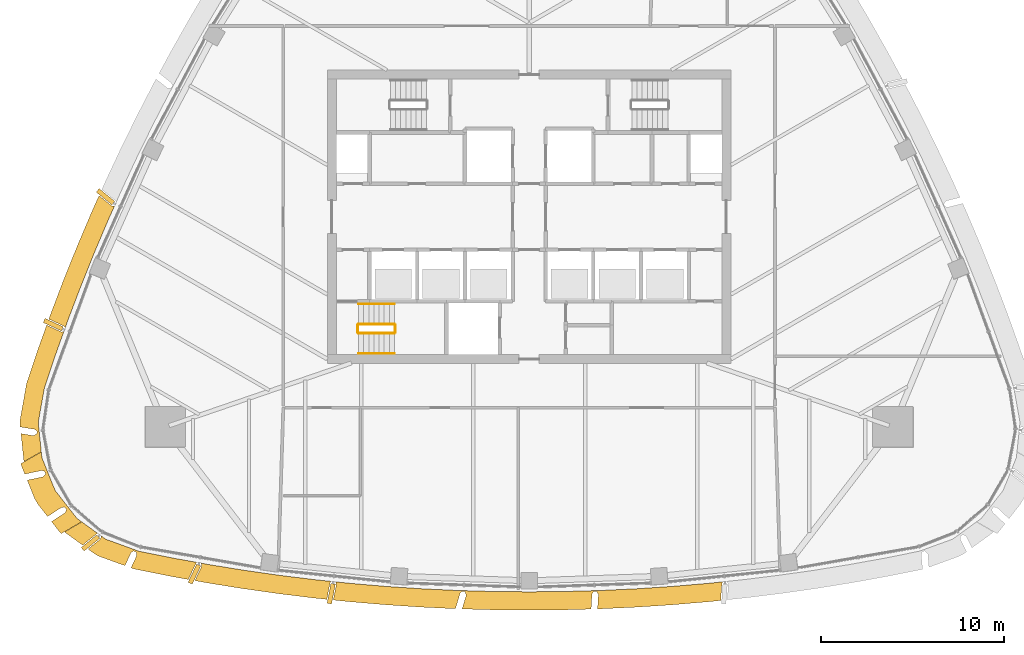
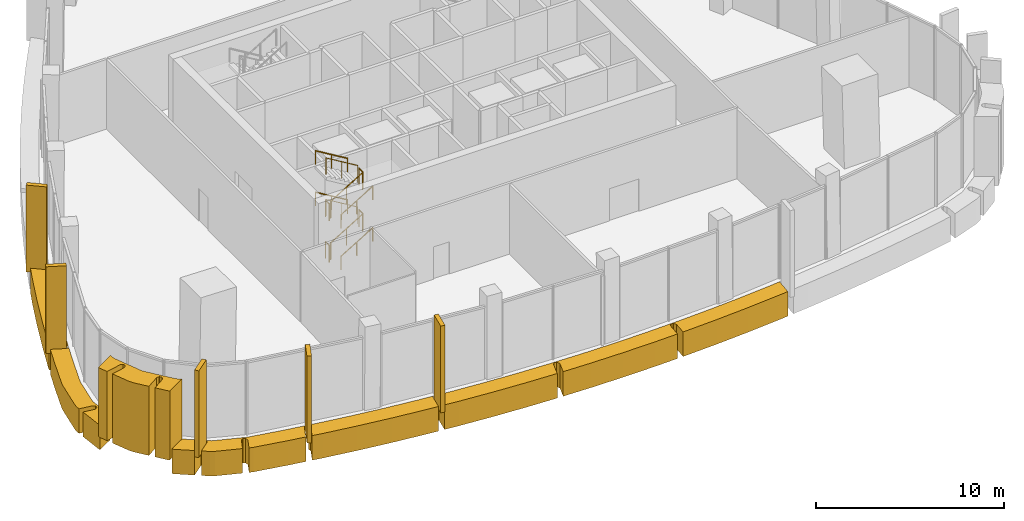
# One storey, part 15 of 19: 12 coverings, 12 railings.
"""IFC4 building model written with IfcOpenShell, lengths in metres."""

from ifc_helpers import new_model, si_unit, direction, frame, origin, origin_2d, place, context, subcontext, project, spatial, polyline, rectangle, circle, outline, extrude, material, layer, layer_set, material_profile, profile_set, type_object, element, save


model = new_model("IFC4")

# Units and contexts
model_context = context("Model", 3, precision=1e-05, world=origin(), true_north=direction((0.0, 1.0)))
body_context = subcontext(model_context, "Body", "Model", "MODEL_VIEW")
ifc_project = project(units=[si_unit("LENGTHUNIT", "METRE"), si_unit("AREAUNIT", "SQUARE_METRE"), si_unit("VOLUMEUNIT", "CUBIC_METRE"), si_unit("PLANEANGLEUNIT", "RADIAN"), si_unit("MASSUNIT", "GRAM", prefix="KILO")], contexts=[model_context])

# Site, building, storey
site_placement = place(None, origin())
site = spatial("IfcSite", under=ifc_project, at=site_placement, CompositionType="ELEMENT")
building_placement = place(site_placement, origin())
building = spatial("IfcBuilding", under=site, at=building_placement, Name="Sierra Prisma Convention Tower", CompositionType="ELEMENT")
storey_placement = place(building_placement, frame((0.0, 0.0, 319.0)))
storey = spatial("IfcBuildingStorey", under=building, at=storey_placement, Name="L73", CompositionType="ELEMENT", Elevation=319.0)

# Coverings
ifc_material_1 = material(Name="Aluminium composite bronze anodised", Category="aluminium")
ifc_layer_1 = layer(ifc_material_1, 1.199951171875)
ifc_layer_set_1 = layer_set([ifc_layer_1], Name="Bronze corner pier")
covering_type_1 = type_object("IfcCoveringType", Name="Bronze corner pier", PredefinedType="CLADDING", material=ifc_layer_set_1)
covering_1_placement = place(storey_placement, frame((0.0, 0.0, -0.60009765625)))
element("IfcCovering", 1, at=covering_1_placement, inside=storey, type_object=covering_type_1, Name="Corner pier SW L73.1", PredefinedType="CLADDING", context=body_context, shape_type="SweptSolid", body=[
    extrude(outline(polyline([(-25.225341796875, -15.972412109375), (-25.223876953125, -15.968017578125), (-25.22265625, -15.96337890625), (-25.221923828125, -15.95849609375), (-25.2216796875, -15.953857421875), (-25.221923828125, -15.948974609375), (-25.222412109375, -15.9443359375), (-25.2236328125, -15.939697265625), (-25.22509765625, -15.93505859375), (-25.22705078125, -15.930908203125), (-25.2294921875, -15.926513671875), (-25.232421875, -15.922607421875), (-25.2939453125, -15.843994140625), (-25.297119140625, -15.840087890625), (-25.300537109375, -15.8369140625), (-25.304443359375, -15.833984375), (-25.30859375, -15.831298828125), (-25.312744140625, -15.8291015625), (-25.3173828125, -15.827392578125), (-25.322021484375, -15.825927734375), (-25.326904296875, -15.8251953125), (-25.33154296875, -15.82470703125), (-25.33642578125, -15.82470703125), (-25.46826171875, -15.833251953125), (-25.473388671875, -15.833984375), (-25.478515625, -15.8349609375), (-25.4833984375, -15.836669921875), (-25.48779296875, -15.838623046875), (-25.492431640625, -15.84130859375), (-26.24853515625, -16.332763671875), (-26.779052734375, -15.654296875), (-26.946533203125, -15.3642578125), (-27.35546875, -14.351318359375), (-26.50830078125, -14.171630859375), (-26.503662109375, -14.17041015625), (-26.499267578125, -14.1689453125), (-26.4951171875, -14.1669921875), (-26.4912109375, -14.16455078125), (-26.4873046875, -14.161865234375), (-26.48388671875, -14.15869140625), (-26.480712890625, -14.1552734375), (-26.376708984375, -14.034423828125), (-26.37353515625, -14.030517578125), (-26.370849609375, -14.0263671875), (-26.36865234375, -14.02197265625), (-26.366943359375, -14.017333984375), (-26.36572265625, -14.012451171875), (-26.364990234375, -14.007568359375), (-26.364501953125, -14.002685546875), (-26.36474609375, -13.99755859375), (-26.365478515625, -13.99267578125), (-26.366455078125, -13.98779296875), (-26.3681640625, -13.983154296875), (-26.405517578125, -13.890380859375), (-26.40771484375, -13.8857421875), (-26.410400390625, -13.88134765625), (-26.41357421875, -13.877197265625), (-26.4169921875, -13.873291015625), (-26.4208984375, -13.8701171875), (-26.425048828125, -13.866943359375), (-26.4296875, -13.864501953125), (-26.434326171875, -13.8623046875), (-26.439208984375, -13.86083984375), (-26.557861328125, -13.829833984375), (-26.5625, -13.828857421875), (-26.56689453125, -13.828369140625), (-26.571533203125, -13.828125), (-26.576416015625, -13.82861328125), (-26.580810546875, -13.8291015625), (-27.48828125, -14.021728515625), (-27.668701171875, -13.5751953125), (-27.69921875, -13.451904296875), (-26.588623046875, -12.810546875), (-26.555908203125, -13.1259765625), (-25.833740234375, -14.9150390625), (-24.6455078125, -16.43505859375), (-24.388671875, -16.62109375), (-25.499267578125, -17.262451171875), (-25.5908203125, -17.17431640625), (-26.0322265625, -16.609619140625), (-25.301513671875, -16.134765625), (-25.297607421875, -16.1318359375), (-25.293701171875, -16.12841796875), (-25.290283203125, -16.124755859375), (-25.287353515625, -16.12060546875), (-25.284912109375, -16.116455078125), (-25.28271484375, -16.11181640625), (-25.225341796875, -15.972412109375)])), origin(), (0.0, 0.0, 1.0), 4.5),
])
ifc_material_2 = material(Name="Aluminium 6063-T6 bronze anodised", Category="aluminium")
ifc_material_profile = material_profile(ifc_material_2, rectangle(XDim=1.10009765625, YDim=0.25, at=origin_2d()), Name="ALU FIN 1100x250")
ifc_profile_set = profile_set([ifc_material_profile], Name="Aluminium 6063-T6 bronze anodised")
covering_type_2 = type_object("IfcCoveringType", Name="Bronze facade fin", PredefinedType="CLADDING", material=ifc_profile_set)
for number, where, z_axis, x_axis, name in (
    (2, (-18.2421875, -19.47119140625, -0.300048828125), (0.0, 0.0, 1.0), (-0.426726771211, -0.904380596172, 0.0), "Fin L73.2"),
    (3, (-10.78662109375, -20.53955078125, -0.300048828125), (0.0, 0.0, 1.0), (-0.189781046869, -0.981826437946, 0.0), "Fin L73.5"),
    (4, (-23.088134765625, 1.09521484375, -0.300048828125), (0.0, 0.0, 1.0), (-0.776486585537, 0.630133781415, 0.0), "Fin L73.58"),
    (5, (-25.93505859375, -5.8779296875, -0.300048828125), (0.0, 0.0, 1.0), (-0.908216313476, 0.418501048906, 0.0), "Fin L73.61"),
    (6, (-23.9091796875, -17.773193359375, -0.300048828125), (0.0, 0.0, 1.0), (-0.776486585537, -0.630133781415, 0.0), "Fin L73.66"),
):
    element("IfcCovering", number, at=place(storey_placement, frame(where, z_axis=z_axis, x_axis=x_axis)), inside=storey, type_object=covering_type_2, Name=name, ObjectType="FIN", PredefinedType="CLADDING", context=body_context, shape_type="SweptSolid", body=[
        extrude(rectangle(XDim=1.10009765625, YDim=0.25, at=origin_2d()), origin(), (0.0, 0.0, 1.0), 5.650146484375),
    ])
ifc_material_3 = material(Name="Aluminium composite bronze anodised", Category="aluminium")
ifc_layer_2 = layer(ifc_material_3, 1.0)
ifc_layer_set_2 = layer_set([ifc_layer_2], Name="Bronze spandrel band")
covering_type_3 = type_object("IfcCoveringType", Name="Bronze spandrel band", PredefinedType="CLADDING", material=ifc_layer_set_2)
covering_2_placement = place(storey_placement, frame((0.0, 0.0, -1.60009765625)))
element("IfcCovering", 7, at=covering_2_placement, inside=storey, type_object=covering_type_3, Name="Spandrel band L73.2", PredefinedType="CLADDING", context=body_context, shape_type="SweptSolid", body=[
    extrude(outline(polyline([(-25.3427734375, -5.965087890625), (-25.345947265625, -5.961181640625), (-25.349609375, -5.95751953125), (-25.353515625, -5.954345703125), (-25.35791015625, -5.951416015625), (-25.3623046875, -5.94921875), (-26.178466796875, -5.572998046875), (-26.07763671875, -5.291748046875), (-26.071044921875, -5.27392578125), (-25.37890625, -3.453857421875), (-25.3720703125, -3.436279296875), (-24.6455078125, -1.62939453125), (-24.638427734375, -1.61181640625), (-23.878173828125, 0.18115234375), (-23.87060546875, 0.1982421875), (-23.4423828125, 1.1572265625), (-22.771484375, 0.61279296875), (-22.767333984375, 0.60986328125), (-22.76318359375, 0.607177734375), (-22.758544921875, 0.605224609375), (-22.75390625, 0.603515625), (-22.7490234375, 0.602294921875), (-22.744140625, 0.601806640625), (-22.7392578125, 0.6015625), (-22.594482421875, 0.603759765625), (-22.95751953125, -0.20947265625), (-23.7177734375, -2.002197265625), (-24.444091796875, -3.80908203125), (-25.13623046875, -5.62939453125), (-25.285400390625, -6.04443359375), (-25.3427734375, -5.965087890625)])), origin(), (0.0, 0.0, 1.0), 1.60009765625),
])
covering_3_placement = place(storey_placement, frame((0.0, 0.0, -1.60009765625)))
element("IfcCovering", 8, at=covering_3_placement, inside=storey, type_object=covering_type_3, Name="Spandrel band L73.3", PredefinedType="CLADDING", context=body_context, shape_type="SweptSolid", body=[
    extrude(outline(polyline([(-23.50439453125, -17.26220703125), (-23.573974609375, -17.28125), (-23.5791015625, -17.28271484375), (-23.583740234375, -17.284912109375), (-23.588134765625, -17.28759765625), (-23.592529296875, -17.290771484375), (-24.336181640625, -17.894287109375), (-25.232421875, -17.24462890625), (-25.3134765625, -17.16650390625), (-24.3798828125, -16.627685546875), (-23.50439453125, -17.26220703125)])), origin(), (0.0, 0.0, 1.0), 1.60009765625),
])
covering_4_placement = place(storey_placement, frame((0.0, 0.0, -1.60009765625)))
element("IfcCovering", 9, at=covering_4_placement, inside=storey, type_object=covering_type_3, Name="Spandrel band L73.4", PredefinedType="CLADDING", context=body_context, shape_type="SweptSolid", body=[
    extrude(outline(polyline([(-27.550537109375, -13.2294921875), (-27.69775390625, -11.814208984375), (-27.025390625, -11.921630859375), (-27.0205078125, -11.922119140625), (-27.015380859375, -11.922119140625), (-27.010498046875, -11.921630859375), (-27.005615234375, -11.9208984375), (-27.000732421875, -11.91943359375), (-26.99609375, -11.91748046875), (-26.99169921875, -11.9150390625), (-26.84765625, -11.8291015625), (-26.843505859375, -11.826416015625), (-26.840087890625, -11.823486328125), (-26.836669921875, -11.820068359375), (-26.83349609375, -11.81640625), (-26.830810546875, -11.8125), (-26.82861328125, -11.80859375), (-26.82666015625, -11.80419921875), (-26.8251953125, -11.7998046875), (-26.823974609375, -11.795166015625), (-26.823486328125, -11.790283203125), (-26.8232421875, -11.78564453125), (-26.823486328125, -11.781005859375), (-26.833740234375, -11.681396484375), (-26.834716796875, -11.676513671875), (-26.835693359375, -11.671875), (-26.83740234375, -11.6669921875), (-26.839599609375, -11.66259765625), (-26.84228515625, -11.658447265625), (-26.84521484375, -11.654541015625), (-26.8486328125, -11.65087890625), (-26.852294921875, -11.647705078125), (-26.856201171875, -11.644775390625), (-26.95068359375, -11.58349609375), (-26.955322265625, -11.580810546875), (-26.960205078125, -11.57861328125), (-26.965087890625, -11.576904296875), (-26.97021484375, -11.575927734375), (-27.7353515625, -11.453857421875), (-27.750244140625, -11.310546875), (-27.739990234375, -11.03173828125), (-27.401611328125, -9.132080078125), (-27.364501953125, -8.987548828125), (-26.741455078125, -7.142578125), (-26.7353515625, -7.124755859375), (-26.297119140625, -5.90380859375), (-25.5087890625, -6.26708984375), (-25.504150390625, -6.268798828125), (-25.499267578125, -6.270263671875), (-25.494384765625, -6.271240234375), (-25.4892578125, -6.271484375), (-25.484375, -6.271484375), (-25.479248046875, -6.270751953125), (-25.35888671875, -6.249755859375), (-25.794189453125, -7.46240234375), (-26.417236328125, -9.3076171875), (-26.755615234375, -11.20703125), (-26.58984375, -12.7998046875), (-27.5234375, -13.338623046875), (-27.550537109375, -13.2294921875)])), origin(), (0.0, 0.0, 1.0), 1.60009765625),
])
covering_5_placement = place(storey_placement, frame((0.0, 0.0, -1.60009765625)))
element("IfcCovering", 10, at=covering_5_placement, inside=storey, type_object=covering_type_3, Name="Spandrel band L73.5", PredefinedType="CLADDING", context=body_context, shape_type="SweptSolid", body=[
    extrude(outline(polyline([(-18.0986328125, -18.83544921875), (-18.1533203125, -18.8828125), (-18.156982421875, -18.88623046875), (-18.160400390625, -18.89013671875), (-18.163330078125, -18.89453125), (-18.165771484375, -18.899169921875), (-18.57470703125, -19.765380859375), (-19.537841796875, -19.591064453125), (-19.556396484375, -19.587646484375), (-21.4658203125, -19.20458984375), (-21.609619140625, -19.16455078125), (-21.698974609375, -19.132080078125), (-21.392333984375, -18.47119140625), (-21.390380859375, -18.466552734375), (-21.388916015625, -18.461669921875), (-21.38818359375, -18.456787109375), (-21.3876953125, -18.45166015625), (-21.3876953125, -18.446533203125), (-21.388427734375, -18.441650390625), (-21.4140625, -18.293212890625), (-21.4150390625, -18.28857421875), (-21.41650390625, -18.283935546875), (-21.41845703125, -18.279541015625), (-21.420654296875, -18.275390625), (-21.42333984375, -18.271484375), (-21.426513671875, -18.267822265625), (-21.429931640625, -18.264404296875), (-21.43359375, -18.261474609375), (-21.4375, -18.2587890625), (-21.44189453125, -18.256591796875), (-21.4462890625, -18.254638671875), (-21.540283203125, -18.220703125), (-21.544921875, -18.21923828125), (-21.5498046875, -18.21826171875), (-21.554443359375, -18.2177734375), (-21.559326171875, -18.2177734375), (-21.564208984375, -18.218017578125), (-21.56884765625, -18.218994140625), (-21.573486328125, -18.220458984375), (-21.578125, -18.22216796875), (-21.58251953125, -18.224365234375), (-21.58642578125, -18.22705078125), (-21.693603515625, -18.30419921875), (-21.69775390625, -18.3076171875), (-21.701416015625, -18.31103515625), (-21.70458984375, -18.315185546875), (-21.70751953125, -18.3193359375), (-21.709716796875, -18.323974609375), (-22.029296875, -19.012451171875), (-23.423583984375, -18.5078125), (-23.67041015625, -18.377197265625), (-24.04296875, -18.10693359375), (-23.371826171875, -17.5625), (-23.3681640625, -17.55908203125), (-23.364990234375, -17.555419921875), (-23.36181640625, -17.551513671875), (-23.359375, -17.547119140625), (-23.357177734375, -17.542724609375), (-23.35546875, -17.5380859375), (-23.354248046875, -17.533203125), (-23.32666015625, -17.39111328125), (-23.083251953125, -17.5673828125), (-21.269287109375, -18.22412109375), (-19.35986328125, -18.607177734375), (-18.0986328125, -18.83544921875)])), origin(), (0.0, 0.0, 1.0), 1.60009765625),
])
covering_6_placement = place(storey_placement, frame((0.0, 0.0, -1.60009765625)))
element("IfcCovering", 11, at=covering_6_placement, inside=storey, type_object=covering_type_3, Name="Spandrel band L73.15", PredefinedType="CLADDING", context=body_context, shape_type="SweptSolid", body=[
    extrude(outline(polyline([(3.767578125, -20.5654296875), (3.689208984375, -20.4365234375), (3.6865234375, -20.4326171875), (3.68359375, -20.428955078125), (3.68017578125, -20.425537109375), (3.676513671875, -20.422607421875), (3.672607421875, -20.419921875), (3.668212890625, -20.41748046875), (3.663818359375, -20.415771484375), (3.6591796875, -20.414306640625), (3.65478515625, -20.413330078125), (3.64990234375, -20.41259765625), (3.64501953125, -20.41259765625), (3.545166015625, -20.415283203125), (3.540283203125, -20.415771484375), (3.535400390625, -20.416748046875), (3.531005859375, -20.41796875), (3.5263671875, -20.419677734375), (3.52197265625, -20.421875), (3.517822265625, -20.424560546875), (3.513916015625, -20.427490234375), (3.510498046875, -20.430908203125), (3.50732421875, -20.434326171875), (3.50439453125, -20.4384765625), (3.43310546875, -20.549560546875), (3.4306640625, -20.553955078125), (3.428466796875, -20.55859375), (3.427001953125, -20.5634765625), (3.42578125, -20.568603515625), (3.42529296875, -20.573486328125), (3.377685546875, -21.378662109375), (1.9755859375, -21.41845703125), (1.956787109375, -21.418701171875), (0.009521484375, -21.43701171875), (-0.009521484375, -21.43701171875), (-1.956787109375, -21.418701171875), (-1.9755859375, -21.41845703125), (-3.652099609375, -21.37109375), (-3.432373046875, -20.634033203125), (-3.43115234375, -20.629150390625), (-3.430419921875, -20.624267578125), (-3.43017578125, -20.619384765625), (-3.430419921875, -20.6142578125), (-3.43115234375, -20.609375), (-3.4326171875, -20.6044921875), (-3.43408203125, -20.599853515625), (-3.50048828125, -20.44580078125), (-3.502685546875, -20.44140625), (-3.505126953125, -20.4375), (-3.508056640625, -20.43359375), (-3.51123046875, -20.43017578125), (-3.5146484375, -20.427001953125), (-3.5185546875, -20.424072265625), (-3.5224609375, -20.421630859375), (-3.52685546875, -20.41943359375), (-3.53125, -20.417724609375), (-3.535888671875, -20.41650390625), (-3.540283203125, -20.415771484375), (-3.545166015625, -20.415283203125), (-3.64501953125, -20.41259765625), (-3.650146484375, -20.41259765625), (-3.655029296875, -20.413330078125), (-3.659912109375, -20.414306640625), (-3.66455078125, -20.416015625), (-3.669189453125, -20.41796875), (-3.67333984375, -20.42041015625), (-3.677490234375, -20.42333984375), (-3.68115234375, -20.426513671875), (-3.6845703125, -20.43017578125), (-3.7578125, -20.515625), (-3.760986328125, -20.52001953125), (-3.763671875, -20.5244140625), (-3.765869140625, -20.529052734375), (-3.767578125, -20.533935546875), (-4.013916015625, -21.359130859375), (-5.886474609375, -21.27099609375), (-5.9052734375, -21.269775390625), (-7.848388671875, -21.141357421875), (-7.8671875, -21.139892578125), (-9.807861328125, -20.97509765625), (-9.826416015625, -20.97314453125), (-10.67529296875, -20.885009765625), (-10.510498046875, -20.03271484375), (-10.509765625, -20.027587890625), (-10.509521484375, -20.022705078125), (-10.510009765625, -20.017578125), (-10.5107421875, -20.0126953125), (-10.511962890625, -20.0078125), (-10.513916015625, -20.003173828125), (-10.56298828125, -19.89111328125), (-9.722900390625, -19.978515625), (-7.78271484375, -20.1435546875), (-5.83935546875, -20.27197265625), (-3.89404296875, -20.36376953125), (-1.947509765625, -20.418701171875), (0.0, -20.43701171875), (1.947509765625, -20.418701171875), (3.89404296875, -20.36376953125), (5.83935546875, -20.27197265625), (7.78271484375, -20.1435546875), (9.722900390625, -19.978515625), (10.55810546875, -19.8916015625), (10.5146484375, -19.965087890625), (10.512451171875, -19.96923828125), (10.510498046875, -19.973388671875), (10.50927734375, -19.977783203125), (10.50830078125, -19.982421875), (10.5078125, -19.987060546875), (10.4423828125, -20.9091796875), (9.826416015625, -20.97314453125), (9.807861328125, -20.97509765625), (7.8671875, -21.139892578125), (7.848388671875, -21.141357421875), (5.9052734375, -21.269775390625), (5.886474609375, -21.27099609375), (3.941162109375, -21.362548828125), (3.92236328125, -21.36328125), (3.72900390625, -21.368896484375), (3.774658203125, -20.59423828125), (3.774658203125, -20.589111328125), (3.774169921875, -20.584228515625), (3.773193359375, -20.579345703125), (3.771728515625, -20.574462890625), (3.77001953125, -20.56982421875), (3.767578125, -20.5654296875)])), origin(), (0.0, 0.0, 1.0), 1.60009765625),
])
covering_7_placement = place(storey_placement, frame((0.0, 0.0, -1.60009765625)))
element("IfcCovering", 12, at=covering_7_placement, inside=storey, type_object=covering_type_3, Name="Spandrel band L73.16", PredefinedType="CLADDING", context=body_context, shape_type="SweptSolid", body=[
    extrude(outline(polyline([(-17.84619140625, -19.014404296875), (-17.8828125, -18.87451171875), (-17.443359375, -18.9541015625), (-15.52099609375, -19.2646484375), (-13.593017578125, -19.5390625), (-11.659912109375, -19.777099609375), (-10.77978515625, -19.86865234375), (-10.84326171875, -19.943359375), (-10.84619140625, -19.947509765625), (-10.848876953125, -19.951904296875), (-10.85107421875, -19.95654296875), (-10.852783203125, -19.961181640625), (-10.85400390625, -19.96630859375), (-11.024658203125, -20.8486328125), (-11.763427734375, -20.771728515625), (-11.7822265625, -20.76953125), (-13.715087890625, -20.531494140625), (-13.73388671875, -20.529052734375), (-15.661865234375, -20.254638671875), (-15.680419921875, -20.251953125), (-17.60302734375, -19.941162109375), (-17.62158203125, -19.93798828125), (-18.218017578125, -19.830078125), (-17.849365234375, -19.048583984375), (-17.847412109375, -19.0439453125), (-17.845947265625, -19.0390625), (-17.844970703125, -19.0341796875), (-17.844482421875, -19.029296875), (-17.844482421875, -19.0244140625), (-17.84521484375, -19.019287109375), (-17.84619140625, -19.014404296875)])), origin(), (0.0, 0.0, 1.0), 1.60009765625),
])

# Railings
ifc_material_4 = material(Name="Stainless steel", Category="steel")
railing_type_1 = type_object("IfcRailingType", Name="Exit stair handrail", PredefinedType="HANDRAIL", material=ifc_material_4)
railing_1_placement = place(storey_placement, frame((-9.300048828125, -7.449951171875, 0.168701171875)))
element("IfcRailing", 13, at=railing_1_placement, inside=storey, type_object=railing_type_1, Name="L73 S1 stair handrail 1", PredefinedType="HANDRAIL", context=body_context, shape_type="SweptSolid", body=[
    extrude(circle(Radius=0.02392578125, at=origin_2d()), frame((0.0, 0.0, 0.8759765625), z_axis=(0.856446297458, 0.0, 0.516236127728), x_axis=(0.0, 1.0, 0.0)), (0.0, 0.0, 1.0), 2.28857421875),
    extrude(circle(Radius=0.02099609375, at=origin_2d()), origin(), (0.0, 0.0, 1.0), 0.851806640625),
    extrude(circle(Radius=0.02099609375, at=origin_2d()), frame((0.97998046875, 0.0, 0.5908203125)), (0.0, 0.0, 1.0), 0.851806640625),
    extrude(circle(Radius=0.02099609375, at=origin_2d()), frame((1.9599609375, 0.0, 1.181396484375)), (0.0, 0.0, 1.0), 0.851806640625),
])
railing_2_placement = place(storey_placement, frame((-7.340087890625, -4.75, 1.518798828125)))
element("IfcRailing", 14, at=railing_2_placement, inside=storey, type_object=railing_type_1, Name="L73 S1 stair handrail 2", PredefinedType="HANDRAIL", context=body_context, shape_type="SweptSolid", body=[
    extrude(circle(Radius=0.02392578125, at=origin_2d()), frame((0.0, 0.0, 0.8759765625), z_axis=(-0.856493463811, 0.0, 0.516157869696), x_axis=(0.0, -1.0, 0.0)), (0.0, 0.0, 1.0), 2.288330078125),
    extrude(circle(Radius=0.02099609375, at=origin_2d()), origin(), (0.0, 0.0, 1.0), 0.851806640625),
    extrude(circle(Radius=0.02099609375, at=origin_2d()), frame((-0.97998046875, 0.0, 0.590576171875)), (0.0, 0.0, 1.0), 0.851806640625),
    extrude(circle(Radius=0.02099609375, at=origin_2d()), frame((-1.9599609375, 0.0, 1.18115234375)), (0.0, 0.0, 1.0), 0.851806640625),
])
railing_3_placement = place(storey_placement, frame((-9.300048828125, -7.449951171875, 2.86865234375)))
element("IfcRailing", 15, at=railing_3_placement, inside=storey, type_object=railing_type_1, Name="L73 S1 stair handrail 3", PredefinedType="HANDRAIL", context=body_context, shape_type="SweptSolid", body=[
    extrude(circle(Radius=0.02392578125, at=origin_2d()), frame((0.0, 0.0, 0.8759765625), z_axis=(0.856446297458, 0.0, 0.516236127728), x_axis=(0.0, 1.0, 0.0)), (0.0, 0.0, 1.0), 2.28857421875),
    extrude(circle(Radius=0.02099609375, at=origin_2d()), origin(), (0.0, 0.0, 1.0), 0.851806640625),
    extrude(circle(Radius=0.02099609375, at=origin_2d()), frame((0.97998046875, 0.0, 0.5908203125)), (0.0, 0.0, 1.0), 0.851806640625),
    extrude(circle(Radius=0.02099609375, at=origin_2d()), frame((1.9599609375, 0.0, 1.181396484375)), (0.0, 0.0, 1.0), 0.851806640625),
])
railing_4_placement = place(storey_placement, frame((-7.340087890625, -4.75, 4.21875)))
element("IfcRailing", 16, at=railing_4_placement, inside=storey, type_object=railing_type_1, Name="L73 S1 stair handrail 4", PredefinedType="HANDRAIL", context=body_context, shape_type="SweptSolid", body=[
    extrude(circle(Radius=0.02392578125, at=origin_2d()), frame((0.0, 0.0, 0.8759765625), z_axis=(-0.856493463811, 0.0, 0.516157869696), x_axis=(0.0, -1.0, 0.0)), (0.0, 0.0, 1.0), 2.288330078125),
    extrude(circle(Radius=0.02099609375, at=origin_2d()), origin(), (0.0, 0.0, 1.0), 0.851806640625),
    extrude(circle(Radius=0.02099609375, at=origin_2d()), frame((-0.97998046875, 0.0, 0.590576171875)), (0.0, 0.0, 1.0), 0.851806640625),
    extrude(circle(Radius=0.02099609375, at=origin_2d()), frame((-1.9599609375, 0.0, 1.18115234375)), (0.0, 0.0, 1.0), 0.851806640625),
])
ifc_material_5 = material(Name="Stainless steel", Category="steel")
railing_type_2 = type_object("IfcRailingType", Name="Stair guard 1100", PredefinedType="GUARDRAIL", material=ifc_material_5)
railing_5_placement = place(storey_placement, frame((-9.300048828125, -6.35009765625, 0.168701171875)))
element("IfcRailing", 17, at=railing_5_placement, inside=storey, type_object=railing_type_2, Name="L73 S1 stair guard 1", PredefinedType="GUARDRAIL", context=body_context, shape_type="SweptSolid", body=[
    extrude(circle(Radius=0.02392578125, at=origin_2d()), frame((0.0, 0.0, 1.076171875), z_axis=(0.856446297458, 0.0, 0.516236127728), x_axis=(0.0, 1.0, 0.0)), (0.0, 0.0, 1.0), 2.28857421875),
    extrude(circle(Radius=0.02099609375, at=origin_2d()), origin(), (0.0, 0.0, 1.0), 1.052001953125),
    extrude(circle(Radius=0.02099609375, at=origin_2d()), frame((0.97998046875, 0.0, 0.5908203125)), (0.0, 0.0, 1.0), 1.052001953125),
    extrude(circle(Radius=0.02099609375, at=origin_2d()), frame((1.9599609375, 0.0, 1.181396484375)), (0.0, 0.0, 1.0), 1.052001953125),
])
railing_6_placement = place(storey_placement, frame((-7.2900390625, -6.300048828125, 1.35009765625)))
element("IfcRailing", 18, at=railing_6_placement, inside=storey, type_object=railing_type_2, Name="L73 S1 stair guard 2", PredefinedType="GUARDRAIL", context=body_context, shape_type="SweptSolid", body=[
    extrude(circle(Radius=0.02392578125, at=origin_2d()), frame((0.0, 0.0, 1.076171875), z_axis=(0.0, 1.0, 0.0), x_axis=(-1.0, 0.0, 0.0)), (0.0, 0.0, 1.0), 0.400146484375),
    extrude(circle(Radius=0.02099609375, at=origin_2d()), origin(), (0.0, 0.0, 1.0), 1.052001953125),
    extrude(circle(Radius=0.02099609375, at=origin_2d()), frame((0.0, 0.400146484375, 0.0)), (0.0, 0.0, 1.0), 1.052001953125),
])
railing_7_placement = place(storey_placement, frame((-7.340087890625, -5.85009765625, 1.518798828125)))
element("IfcRailing", 19, at=railing_7_placement, inside=storey, type_object=railing_type_2, Name="L73 S1 stair guard 3", PredefinedType="GUARDRAIL", context=body_context, shape_type="SweptSolid", body=[
    extrude(circle(Radius=0.02392578125, at=origin_2d()), frame((0.0, 0.0, 1.076171875), z_axis=(-0.856493463811, 0.0, 0.516157869696), x_axis=(0.0, -1.0, 0.0)), (0.0, 0.0, 1.0), 2.288330078125),
    extrude(circle(Radius=0.02099609375, at=origin_2d()), origin(), (0.0, 0.0, 1.0), 1.052001953125),
    extrude(circle(Radius=0.02099609375, at=origin_2d()), frame((-0.97998046875, 0.0, 0.590576171875)), (0.0, 0.0, 1.0), 1.052001953125),
    extrude(circle(Radius=0.02099609375, at=origin_2d()), frame((-1.9599609375, 0.0, 1.18115234375)), (0.0, 0.0, 1.0), 1.052001953125),
])
railing_8_placement = place(storey_placement, frame((-9.35009765625, -6.300048828125, 2.699951171875)))
element("IfcRailing", 20, at=railing_8_placement, inside=storey, type_object=railing_type_2, Name="L73 S1 stair guard 4", PredefinedType="GUARDRAIL", context=body_context, shape_type="SweptSolid", body=[
    extrude(circle(Radius=0.02392578125, at=origin_2d()), frame((0.0, 0.0, 1.076171875), z_axis=(0.0, 1.0, 0.0), x_axis=(-1.0, 0.0, 0.0)), (0.0, 0.0, 1.0), 0.400146484375),
    extrude(circle(Radius=0.02099609375, at=origin_2d()), origin(), (0.0, 0.0, 1.0), 1.052001953125),
    extrude(circle(Radius=0.02099609375, at=origin_2d()), frame((0.0, 0.400146484375, 0.0)), (0.0, 0.0, 1.0), 1.052001953125),
])
railing_9_placement = place(storey_placement, frame((-9.300048828125, -6.35009765625, 2.86865234375)))
element("IfcRailing", 21, at=railing_9_placement, inside=storey, type_object=railing_type_2, Name="L73 S1 stair guard 5", PredefinedType="GUARDRAIL", context=body_context, shape_type="SweptSolid", body=[
    extrude(circle(Radius=0.02392578125, at=origin_2d()), frame((0.0, 0.0, 1.076171875), z_axis=(0.856446297458, 0.0, 0.516236127728), x_axis=(0.0, 1.0, 0.0)), (0.0, 0.0, 1.0), 2.28857421875),
    extrude(circle(Radius=0.02099609375, at=origin_2d()), origin(), (0.0, 0.0, 1.0), 1.052001953125),
    extrude(circle(Radius=0.02099609375, at=origin_2d()), frame((0.97998046875, 0.0, 0.5908203125)), (0.0, 0.0, 1.0), 1.052001953125),
    extrude(circle(Radius=0.02099609375, at=origin_2d()), frame((1.9599609375, 0.0, 1.181396484375)), (0.0, 0.0, 1.0), 1.052001953125),
])
railing_10_placement = place(storey_placement, frame((-7.2900390625, -6.300048828125, 4.050048828125)))
element("IfcRailing", 22, at=railing_10_placement, inside=storey, type_object=railing_type_2, Name="L73 S1 stair guard 6", PredefinedType="GUARDRAIL", context=body_context, shape_type="SweptSolid", body=[
    extrude(circle(Radius=0.02392578125, at=origin_2d()), frame((0.0, 0.0, 1.076171875), z_axis=(0.0, 1.0, 0.0), x_axis=(-1.0, 0.0, 0.0)), (0.0, 0.0, 1.0), 0.400146484375),
    extrude(circle(Radius=0.02099609375, at=origin_2d()), origin(), (0.0, 0.0, 1.0), 1.052001953125),
    extrude(circle(Radius=0.02099609375, at=origin_2d()), frame((0.0, 0.400146484375, 0.0)), (0.0, 0.0, 1.0), 1.052001953125),
])
railing_11_placement = place(storey_placement, frame((-7.340087890625, -5.85009765625, 4.21875)))
element("IfcRailing", 23, at=railing_11_placement, inside=storey, type_object=railing_type_2, Name="L73 S1 stair guard 7", PredefinedType="GUARDRAIL", context=body_context, shape_type="SweptSolid", body=[
    extrude(circle(Radius=0.02392578125, at=origin_2d()), frame((0.0, 0.0, 1.076171875), z_axis=(-0.856493463811, 0.0, 0.516157869696), x_axis=(0.0, -1.0, 0.0)), (0.0, 0.0, 1.0), 2.288330078125),
    extrude(circle(Radius=0.02099609375, at=origin_2d()), origin(), (0.0, 0.0, 1.0), 1.052001953125),
    extrude(circle(Radius=0.02099609375, at=origin_2d()), frame((-0.97998046875, 0.0, 0.590576171875)), (0.0, 0.0, 1.0), 1.052001953125),
    extrude(circle(Radius=0.02099609375, at=origin_2d()), frame((-1.9599609375, 0.0, 1.18115234375)), (0.0, 0.0, 1.0), 1.052001953125),
])
railing_12_placement = place(storey_placement, frame((-9.35009765625, -6.300048828125, 0.0)))
element("IfcRailing", 24, at=railing_12_placement, inside=storey, type_object=railing_type_2, Name="L73 S1 stair guard 8", PredefinedType="GUARDRAIL", context=body_context, shape_type="SweptSolid", body=[
    extrude(circle(Radius=0.02392578125, at=origin_2d()), frame((0.0, 0.0, 1.076171875), z_axis=(0.0, 1.0, 0.0), x_axis=(-1.0, 0.0, 0.0)), (0.0, 0.0, 1.0), 0.400146484375),
    extrude(circle(Radius=0.02099609375, at=origin_2d()), origin(), (0.0, 0.0, 1.0), 1.052001953125),
    extrude(circle(Radius=0.02099609375, at=origin_2d()), frame((0.0, 0.400146484375, 0.0)), (0.0, 0.0, 1.0), 1.052001953125),
])

save(model, "model.ifc")
